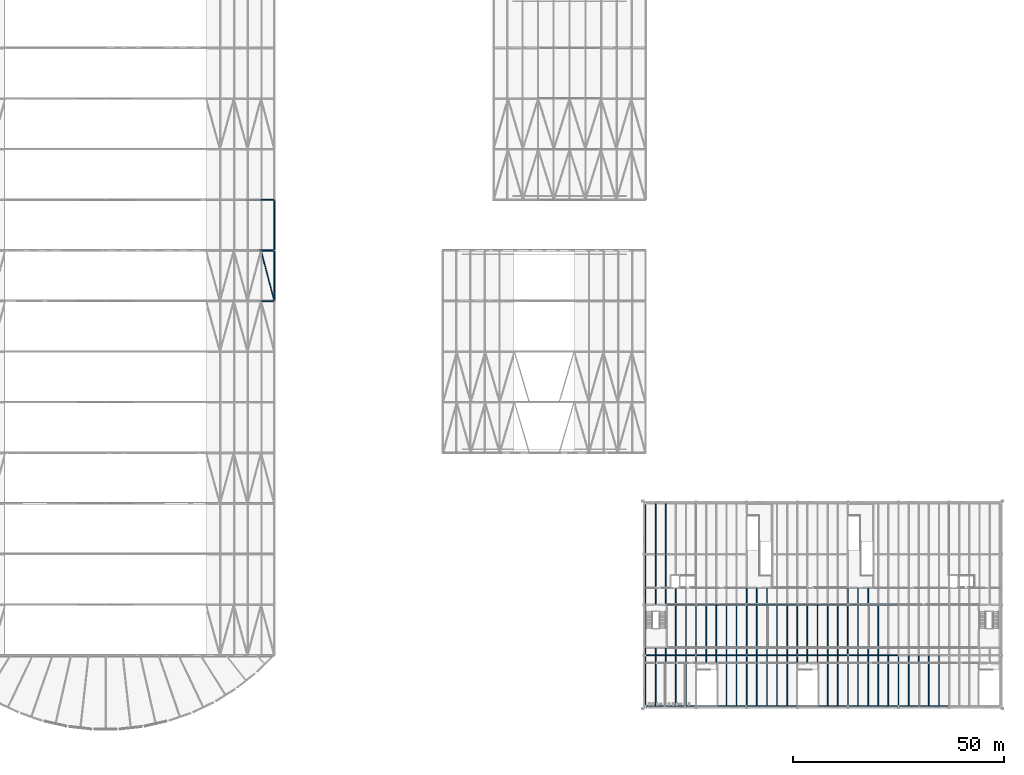
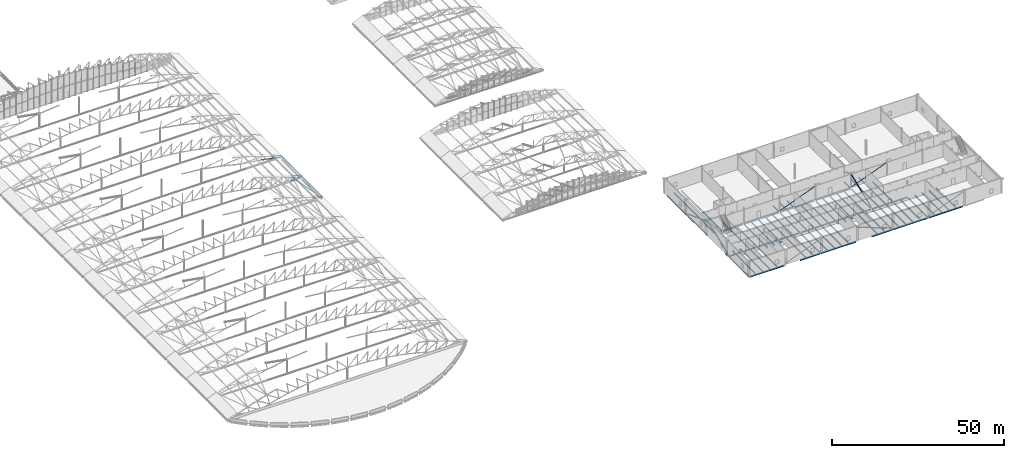
# One storey, part 112 of 321: 84 beams, 16 members.
"""IFC4 building model written with IfcOpenShell, lengths in metres."""

from ifc_helpers import new_model, si_unit, direction, frame, origin, origin_2d, place, context, subcontext, project, spatial, hollow_rectangle, hollow_circle, i_section, extrude, material, material_profile, profile_set, type_object, element, save


model = new_model("IFC4")

# Units and contexts
model_context = context("Model", 3, precision=1e-05, world=origin(), true_north=direction((0.0, 1.0)))
body_context = subcontext(model_context, "Body", "Model", "MODEL_VIEW")
ifc_project = project(units=[si_unit("LENGTHUNIT", "METRE"), si_unit("AREAUNIT", "SQUARE_METRE"), si_unit("VOLUMEUNIT", "CUBIC_METRE"), si_unit("PLANEANGLEUNIT", "RADIAN"), si_unit("MASSUNIT", "GRAM", prefix="KILO")], contexts=[model_context])

# Site, building, storey
site_placement = place(None, origin())
site = spatial("IfcSite", under=ifc_project, at=site_placement, CompositionType="ELEMENT")
building_placement = place(site_placement, origin())
building = spatial("IfcBuilding", under=site, at=building_placement, Name="Ravi Spectrum Wholesale Market", CompositionType="ELEMENT")
storey_placement = place(building_placement, frame((0.0, 0.0, 10.800048828125)))
storey = spatial("IfcBuildingStorey", under=building, at=storey_placement, Name="L02", CompositionType="ELEMENT", Elevation=10.800048828125)

# Members
ifc_material_1 = material(Name="Steel S355", Category="steel")
ifc_material_profile_1 = material_profile(ifc_material_1, hollow_circle(Radius=0.096923828125, WallThickness=0.00634765625, at=origin_2d()))
ifc_profile_set_1 = profile_set([ifc_material_profile_1], Name="Steel S355")
member_type_1 = type_object("IfcMemberType", Name="CHS 193.7x6.3 brace", PredefinedType="BRACE", material=ifc_profile_set_1)
member_1_placement = place(storey_placement, frame((106.836181640625, 126.0, 1.325439453125), z_axis=(0.254316239018, -0.961476177233, -0.104339883003), x_axis=(0.966753007225, 0.255711992329, 0.0)))
element("IfcMember", 1, at=member_1_placement, inside=storey, type_object=member_type_1, Name="H1-MB-L02-1679", PredefinedType="BRACE", context=body_context, shape_type="SweptSolid", body=[
    extrude(hollow_circle(Radius=0.096923828125, WallThickness=0.00634765625, at=origin_2d()), origin(), (0.0, 0.0, 1.0), 12.480712890625),
])
ifc_material_2 = material(Name="Steel S355", Category="steel")
ifc_material_profile_2 = material_profile(ifc_material_2, hollow_circle(Radius=0.136474609375, WallThickness=0.010009765625, at=origin_2d()))
ifc_profile_set_2 = profile_set([ifc_material_profile_2], Name="Steel S355")
member_type_2 = type_object("IfcMemberType", Name="CHS 273x10 chord", PredefinedType="CHORD", material=ifc_profile_set_2)
member_2_placement = place(storey_placement, frame((103.231201171875, 138.0, 1.435546875), z_axis=(0.978978953118, 0.0, -0.203961293758), x_axis=(0.0, 1.0, 0.0)))
element("IfcMember", 2, at=member_2_placement, inside=storey, type_object=member_type_2, Name="H1-MB-L02-783", PredefinedType="CHORD", context=body_context, shape_type="SweptSolid", body=[
    extrude(hollow_circle(Radius=0.136474609375, WallThickness=0.010009765625, at=origin_2d()), origin(), (0.0, 0.0, 1.0), 6.924560546875),
])
ifc_material_3 = material(Name="Steel S355", Category="steel")
ifc_material_profile_3 = material_profile(ifc_material_3, hollow_circle(Radius=0.177734375, WallThickness=0.012451171875, at=origin_2d()))
ifc_profile_set_3 = profile_set([ifc_material_profile_3], Name="Steel S355")
member_type_3 = type_object("IfcMemberType", Name="CHS 355.6x12.5 chord", PredefinedType="CHORD", material=ifc_profile_set_3)
member_3_placement = place(storey_placement, frame((106.845458984375, 114.0, 1.34912109375), z_axis=(0.922323660423, 0.0, -0.386418251929), x_axis=(0.0, 1.0, 0.0)))
element("IfcMember", 3, at=member_3_placement, inside=storey, type_object=member_type_3, Name="H1-MB-L02-609", PredefinedType="CHORD", context=body_context, shape_type="SweptSolid", body=[
    extrude(hollow_circle(Radius=0.177734375, WallThickness=0.012451171875, at=origin_2d()), origin(), (0.0, 0.0, 1.0), 3.431396484375),
])
member_4_placement = place(storey_placement, frame((106.3916015625, 126.0, 0.2109375), z_axis=(0.998295734367, 0.0, -0.058357747936), x_axis=(0.0, 1.0, 0.0)))
element("IfcMember", 4, at=member_4_placement, inside=storey, type_object=member_type_3, Name="H1-MB-L02-696", PredefinedType="CHORD", context=body_context, shape_type="SweptSolid", body=[
    extrude(hollow_circle(Radius=0.177734375, WallThickness=0.012451171875, at=origin_2d()), origin(), (0.0, 0.0, 1.0), 3.614501953125),
])
member_5_placement = place(storey_placement, frame((106.845458984375, 138.0, 1.34912109375), z_axis=(0.922323660423, 0.0, -0.386418251929), x_axis=(0.0, 1.0, 0.0)))
element("IfcMember", 5, at=member_5_placement, inside=storey, type_object=member_type_3, Name="H1-MB-L02-771", PredefinedType="CHORD", context=body_context, shape_type="SweptSolid", body=[
    extrude(hollow_circle(Radius=0.177734375, WallThickness=0.012451171875, at=origin_2d()), origin(), (0.0, 0.0, 1.0), 3.431396484375),
])
ifc_material_4 = material(Name="Steel S355", Category="steel")
ifc_material_profile_4 = material_profile(ifc_material_4, hollow_circle(Radius=0.203125, WallThickness=0.01611328125, at=origin_2d()))
ifc_profile_set_4 = profile_set([ifc_material_profile_4], Name="Steel S355")
member_type_4 = type_object("IfcMemberType", Name="CHS 406.4x16 chord", PredefinedType="CHORD", material=ifc_profile_set_4)
member_6_placement = place(storey_placement, frame((106.836181640625, 126.0, 1.325439453125), z_axis=(0.922331882778, 0.0, -0.386398625789), x_axis=(0.0, 1.0, 0.0)))
element("IfcMember", 6, at=member_6_placement, inside=storey, type_object=member_type_4, Name="H1-MB-L02-672", PredefinedType="CHORD", context=body_context, shape_type="SweptSolid", body=[
    extrude(hollow_circle(Radius=0.203125, WallThickness=0.01611328125, at=origin_2d()), origin(), (0.0, 0.0, 1.0), 3.43017578125),
])
ifc_material_5 = material(Name="Steel S355", Category="steel")
ifc_material_profile_5 = material_profile(ifc_material_5, i_section(OverallWidth=0.135009765625, OverallDepth=0.27001953125, WebThickness=0.006591796875, FlangeThickness=0.01025390625, at=origin_2d()))
ifc_profile_set_5 = profile_set([ifc_material_profile_5], Name="Steel S355")
member_type_5 = type_object("IfcMemberType", Name="IPE 270 purlin", PredefinedType="PURLIN", material=ifc_profile_set_5)
for number, where, z_axis, x_axis, name in (
    (7, (110.135986328125, 114.0, 0.3095703125), (0.0, 1.0, 0.0), (-0.915525334521, 0.0, 0.402260316027), "H1-MB-L02-1433"),
    (8, (110.135986328125, 126.0, 0.3095703125), (0.0, 1.0, 0.0), (-0.915525334521, 0.0, 0.402260316027), "H1-MB-L02-1458"),
):
    element("IfcMember", number, at=place(storey_placement, frame(where, z_axis=z_axis, x_axis=x_axis)), inside=storey, type_object=member_type_5, Name=name, PredefinedType="PURLIN", context=body_context, shape_type="SweptSolid", body=[
        extrude(i_section(OverallWidth=0.135009765625, OverallDepth=0.27001953125, WebThickness=0.006591796875, FlangeThickness=0.01025390625, at=origin_2d()), origin(), (0.0, 0.0, 1.0), 12.0),
    ])

# Beams
ifc_material_6 = material(Name="Steel S355", Category="steel")
ifc_material_profile_6 = material_profile(ifc_material_6, i_section(OverallWidth=0.18994140625, OverallDepth=0.449951171875, WebThickness=0.009521484375, FlangeThickness=0.0146484375, at=origin_2d()))
ifc_profile_set_6 = profile_set([ifc_material_profile_6], Name="Steel S355")
beam_type_1 = type_object("IfcBeamType", Name="IPE 450 girder", PredefinedType="BEAM", material=ifc_profile_set_6)
beam_1_placement = place(storey_placement, frame((198.0, 18.169921875, -0.47509765625), z_axis=(0.0, 1.0, 0.0), x_axis=(-1.0, 0.0, 0.0)))
element("IfcBeam", 9, at=beam_1_placement, inside=storey, type_object=beam_type_1, Name="CS-BM-L02-036", PredefinedType="BEAM", context=body_context, shape_type="SweptSolid", body=[
    extrude(i_section(OverallWidth=0.18994140625, OverallDepth=0.449951171875, WebThickness=0.009521484375, FlangeThickness=0.0146484375, at=origin_2d()), origin(), (0.0, 0.0, 1.0), 11.66015625),
])
beam_2_placement = place(storey_placement, frame((198.0, 30.169921875, -0.47509765625), z_axis=(0.0, 1.0, 0.0), x_axis=(-1.0, 0.0, 0.0)))
element("IfcBeam", 10, at=beam_2_placement, inside=storey, type_object=beam_type_1, Name="CS-BM-L02-037", PredefinedType="BEAM", context=body_context, shape_type="SweptSolid", body=[
    extrude(i_section(OverallWidth=0.18994140625, OverallDepth=0.449951171875, WebThickness=0.009521484375, FlangeThickness=0.0146484375, at=origin_2d()), origin(), (0.0, 0.0, 1.0), 1.505126953125),
])
for number, where, z_axis, x_axis, name in (
    (11, (198.0, 42.169921875, -0.47509765625), (0.0, 1.0, 0.0), (-1.0, 0.0, 0.0), "CS-BM-L02-038"),
    (12, (198.0, 54.169921875, -0.47509765625), (0.0, 1.0, 0.0), (-1.0, 0.0, 0.0), "CS-BM-L02-039"),
):
    element("IfcBeam", number, at=place(storey_placement, frame(where, z_axis=z_axis, x_axis=x_axis)), inside=storey, type_object=beam_type_1, Name=name, PredefinedType="BEAM", context=body_context, shape_type="SweptSolid", body=[
        extrude(i_section(OverallWidth=0.18994140625, OverallDepth=0.449951171875, WebThickness=0.009521484375, FlangeThickness=0.0146484375, at=origin_2d()), origin(), (0.0, 0.0, 1.0), 11.66015625),
    ])
beam_3_placement = place(storey_placement, frame((210.0, 28.324951171875, -0.47509765625), z_axis=(0.0, 1.0, 0.0), x_axis=(-1.0, 0.0, 0.0)))
element("IfcBeam", 13, at=beam_3_placement, inside=storey, type_object=beam_type_1, Name="CS-BM-L02-040", PredefinedType="BEAM", context=body_context, shape_type="SweptSolid", body=[
    extrude(i_section(OverallWidth=0.18994140625, OverallDepth=0.449951171875, WebThickness=0.009521484375, FlangeThickness=0.0146484375, at=origin_2d()), origin(), (0.0, 0.0, 1.0), 1.47509765625),
])
beam_4_placement = place(storey_placement, frame((210.0, 30.199951171875, -0.47509765625), z_axis=(0.0, 1.0, 0.0), x_axis=(-1.0, 0.0, 0.0)))
element("IfcBeam", 14, at=beam_4_placement, inside=storey, type_object=beam_type_1, Name="CS-BM-L02-041", PredefinedType="BEAM", context=body_context, shape_type="SweptSolid", body=[
    extrude(i_section(OverallWidth=0.18994140625, OverallDepth=0.449951171875, WebThickness=0.009521484375, FlangeThickness=0.0146484375, at=origin_2d()), origin(), (0.0, 0.0, 1.0), 11.60009765625),
])
beam_5_placement = place(storey_placement, frame((222.0, 18.169921875, -0.47509765625), z_axis=(0.0, 1.0, 0.0), x_axis=(-1.0, 0.0, 0.0)))
element("IfcBeam", 15, at=beam_5_placement, inside=storey, type_object=beam_type_1, Name="CS-BM-L02-045", PredefinedType="BEAM", context=body_context, shape_type="SweptSolid", body=[
    extrude(i_section(OverallWidth=0.18994140625, OverallDepth=0.449951171875, WebThickness=0.009521484375, FlangeThickness=0.0146484375, at=origin_2d()), origin(), (0.0, 0.0, 1.0), 11.630126953125),
])
beam_6_placement = place(storey_placement, frame((222.0, 30.199951171875, -0.47509765625), z_axis=(0.0, 1.0, 0.0), x_axis=(-1.0, 0.0, 0.0)))
element("IfcBeam", 16, at=beam_6_placement, inside=storey, type_object=beam_type_1, Name="CS-BM-L02-046", PredefinedType="BEAM", context=body_context, shape_type="SweptSolid", body=[
    extrude(i_section(OverallWidth=0.18994140625, OverallDepth=0.449951171875, WebThickness=0.009521484375, FlangeThickness=0.0146484375, at=origin_2d()), origin(), (0.0, 0.0, 1.0), 11.60009765625),
])
beam_7_placement = place(storey_placement, frame((222.0, 42.199951171875, -0.47509765625), z_axis=(0.0, 1.0, 0.0), x_axis=(-1.0, 0.0, 0.0)))
element("IfcBeam", 17, at=beam_7_placement, inside=storey, type_object=beam_type_1, Name="CS-BM-L02-047", PredefinedType="BEAM", context=body_context, shape_type="SweptSolid", body=[
    extrude(i_section(OverallWidth=0.18994140625, OverallDepth=0.449951171875, WebThickness=0.009521484375, FlangeThickness=0.0146484375, at=origin_2d()), origin(), (0.0, 0.0, 1.0), 3.675048828125),
])
beam_8_placement = place(storey_placement, frame((234.0, 28.324951171875, -0.47509765625), z_axis=(0.0, 1.0, 0.0), x_axis=(-1.0, 0.0, 0.0)))
element("IfcBeam", 18, at=beam_8_placement, inside=storey, type_object=beam_type_1, Name="CS-BM-L02-048", PredefinedType="BEAM", context=body_context, shape_type="SweptSolid", body=[
    extrude(i_section(OverallWidth=0.18994140625, OverallDepth=0.449951171875, WebThickness=0.009521484375, FlangeThickness=0.0146484375, at=origin_2d()), origin(), (0.0, 0.0, 1.0), 1.47509765625),
])
beam_9_placement = place(storey_placement, frame((234.0, 30.199951171875, -0.47509765625), z_axis=(0.0, 1.0, 0.0), x_axis=(-1.0, 0.0, 0.0)))
element("IfcBeam", 19, at=beam_9_placement, inside=storey, type_object=beam_type_1, Name="CS-BM-L02-049", PredefinedType="BEAM", context=body_context, shape_type="SweptSolid", body=[
    extrude(i_section(OverallWidth=0.18994140625, OverallDepth=0.449951171875, WebThickness=0.009521484375, FlangeThickness=0.0146484375, at=origin_2d()), origin(), (0.0, 0.0, 1.0), 11.60009765625),
])
beam_10_placement = place(storey_placement, frame((246.0, 18.169921875, -0.47509765625), z_axis=(0.0, 1.0, 0.0), x_axis=(-1.0, 0.0, 0.0)))
element("IfcBeam", 20, at=beam_10_placement, inside=storey, type_object=beam_type_1, Name="CS-BM-L02-052", PredefinedType="BEAM", context=body_context, shape_type="SweptSolid", body=[
    extrude(i_section(OverallWidth=0.18994140625, OverallDepth=0.449951171875, WebThickness=0.009521484375, FlangeThickness=0.0146484375, at=origin_2d()), origin(), (0.0, 0.0, 1.0), 11.630126953125),
])
beam_11_placement = place(storey_placement, frame((246.0, 30.199951171875, -0.47509765625), z_axis=(0.0, 1.0, 0.0), x_axis=(-1.0, 0.0, 0.0)))
element("IfcBeam", 21, at=beam_11_placement, inside=storey, type_object=beam_type_1, Name="CS-BM-L02-053", PredefinedType="BEAM", context=body_context, shape_type="SweptSolid", body=[
    extrude(i_section(OverallWidth=0.18994140625, OverallDepth=0.449951171875, WebThickness=0.009521484375, FlangeThickness=0.0146484375, at=origin_2d()), origin(), (0.0, 0.0, 1.0), 11.60009765625),
])
beam_12_placement = place(storey_placement, frame((246.0, 42.199951171875, -0.47509765625), z_axis=(0.0, 1.0, 0.0), x_axis=(-1.0, 0.0, 0.0)))
element("IfcBeam", 22, at=beam_12_placement, inside=storey, type_object=beam_type_1, Name="CS-BM-L02-054", PredefinedType="BEAM", context=body_context, shape_type="SweptSolid", body=[
    extrude(i_section(OverallWidth=0.18994140625, OverallDepth=0.449951171875, WebThickness=0.009521484375, FlangeThickness=0.0146484375, at=origin_2d()), origin(), (0.0, 0.0, 1.0), 3.675048828125),
])
beam_13_placement = place(storey_placement, frame((258.0, 18.169921875, -0.47509765625), z_axis=(0.0, 1.0, 0.0), x_axis=(-1.0, 0.0, 0.0)))
element("IfcBeam", 23, at=beam_13_placement, inside=storey, type_object=beam_type_1, Name="CS-BM-L02-055", PredefinedType="BEAM", context=body_context, shape_type="SweptSolid", body=[
    extrude(i_section(OverallWidth=0.18994140625, OverallDepth=0.449951171875, WebThickness=0.009521484375, FlangeThickness=0.0146484375, at=origin_2d()), origin(), (0.0, 0.0, 1.0), 11.630126953125),
])
ifc_material_7 = material(Name="Steel S355", Category="steel")
ifc_material_profile_7 = material_profile(ifc_material_7, i_section(OverallWidth=0.199951171875, OverallDepth=0.5, WebThickness=0.01025390625, FlangeThickness=0.01611328125, at=origin_2d()))
ifc_profile_set_7 = profile_set([ifc_material_profile_7], Name="Steel S355")
beam_type_2 = type_object("IfcBeamType", Name="IPE 500 beam", PredefinedType="BEAM", material=ifc_profile_set_7)
beam_14_placement = place(storey_placement, frame((198.14990234375, 18.0, -0.5), z_axis=(1.0, 0.0, 0.0), x_axis=(0.0, 1.0, 0.0)))
element("IfcBeam", 24, at=beam_14_placement, inside=storey, type_object=beam_type_2, Name="CS-BM-L02-001", PredefinedType="BEAM", context=body_context, shape_type="SweptSolid", body=[
    extrude(i_section(OverallWidth=0.199951171875, OverallDepth=0.5, WebThickness=0.01025390625, FlangeThickness=0.01611328125, at=origin_2d()), origin(), (0.0, 0.0, 1.0), 11.7001953125),
])
beam_15_placement = place(storey_placement, frame((215.125, 18.0, -0.5), z_axis=(1.0, 0.0, 0.0), x_axis=(0.0, 1.0, 0.0)))
element("IfcBeam", 25, at=beam_15_placement, inside=storey, type_object=beam_type_2, Name="CS-BM-L02-002", PredefinedType="BEAM", context=body_context, shape_type="SweptSolid", body=[
    extrude(i_section(OverallWidth=0.199951171875, OverallDepth=0.5, WebThickness=0.01025390625, FlangeThickness=0.01611328125, at=origin_2d()), origin(), (0.0, 0.0, 1.0), 6.72509765625),
])
beam_16_placement = place(storey_placement, frame((222.14990234375, 18.0, -0.5), z_axis=(1.0, 0.0, 0.0), x_axis=(0.0, 1.0, 0.0)))
element("IfcBeam", 26, at=beam_16_placement, inside=storey, type_object=beam_type_2, Name="CS-BM-L02-003", PredefinedType="BEAM", context=body_context, shape_type="SweptSolid", body=[
    extrude(i_section(OverallWidth=0.199951171875, OverallDepth=0.5, WebThickness=0.01025390625, FlangeThickness=0.01611328125, at=origin_2d()), origin(), (0.0, 0.0, 1.0), 11.7001953125),
])
beam_17_placement = place(storey_placement, frame((239.125, 18.0, -0.5), z_axis=(1.0, 0.0, 0.0), x_axis=(0.0, 1.0, 0.0)))
element("IfcBeam", 27, at=beam_17_placement, inside=storey, type_object=beam_type_2, Name="CS-BM-L02-004", PredefinedType="BEAM", context=body_context, shape_type="SweptSolid", body=[
    extrude(i_section(OverallWidth=0.199951171875, OverallDepth=0.5, WebThickness=0.01025390625, FlangeThickness=0.01611328125, at=origin_2d()), origin(), (0.0, 0.0, 1.0), 6.72509765625),
])
for number, where, z_axis, x_axis, name in (
    (28, (246.14990234375, 18.0, -0.5), (1.0, 0.0, 0.0), (0.0, 1.0, 0.0), "CS-BM-L02-005"),
    (29, (258.14990234375, 18.0, -0.5), (1.0, 0.0, 0.0), (0.0, 1.0, 0.0), "CS-BM-L02-006"),
    (30, (198.14990234375, 30.0, -0.5), (1.0, 0.0, 0.0), (0.0, 1.0, 0.0), "CS-BM-L02-008"),
    (31, (210.14990234375, 30.0, -0.5), (1.0, 0.0, 0.0), (0.0, 1.0, 0.0), "CS-BM-L02-009"),
    (32, (222.14990234375, 30.0, -0.5), (1.0, 0.0, 0.0), (0.0, 1.0, 0.0), "CS-BM-L02-010"),
    (33, (234.14990234375, 30.0, -0.5), (1.0, 0.0, 0.0), (0.0, 1.0, 0.0), "CS-BM-L02-011"),
    (34, (246.14990234375, 30.0, -0.5), (1.0, 0.0, 0.0), (0.0, 1.0, 0.0), "CS-BM-L02-012"),
):
    element("IfcBeam", number, at=place(storey_placement, frame(where, z_axis=z_axis, x_axis=x_axis)), inside=storey, type_object=beam_type_2, Name=name, PredefinedType="BEAM", context=body_context, shape_type="SweptSolid", body=[
        extrude(i_section(OverallWidth=0.199951171875, OverallDepth=0.5, WebThickness=0.01025390625, FlangeThickness=0.01611328125, at=origin_2d()), origin(), (0.0, 0.0, 1.0), 11.7001953125),
    ])
beam_18_placement = place(storey_placement, frame((203.125, 42.0, -0.5), z_axis=(1.0, 0.0, 0.0), x_axis=(0.0, 1.0, 0.0)))
element("IfcBeam", 35, at=beam_18_placement, inside=storey, type_object=beam_type_2, Name="CS-BM-L02-015", PredefinedType="BEAM", context=body_context, shape_type="SweptSolid", body=[
    extrude(i_section(OverallWidth=0.199951171875, OverallDepth=0.5, WebThickness=0.01025390625, FlangeThickness=0.01611328125, at=origin_2d()), origin(), (0.0, 0.0, 1.0), 6.72509765625),
])
for number, where, z_axis, x_axis, name in (
    (36, (210.14990234375, 42.0, -0.5), (1.0, 0.0, 0.0), (0.0, 1.0, 0.0), "CS-BM-L02-016"),
    (37, (222.14990234375, 42.0, -0.5), (1.0, 0.0, 0.0), (0.0, 1.0, 0.0), "CS-BM-L02-017"),
    (38, (234.14990234375, 42.0, -0.5), (1.0, 0.0, 0.0), (0.0, 1.0, 0.0), "CS-BM-L02-018"),
):
    element("IfcBeam", number, at=place(storey_placement, frame(where, z_axis=z_axis, x_axis=x_axis)), inside=storey, type_object=beam_type_2, Name=name, PredefinedType="BEAM", context=body_context, shape_type="SweptSolid", body=[
        extrude(i_section(OverallWidth=0.199951171875, OverallDepth=0.5, WebThickness=0.01025390625, FlangeThickness=0.01611328125, at=origin_2d()), origin(), (0.0, 0.0, 1.0), 11.7001953125),
    ])
for number, where, z_axis, x_axis, name in (
    (39, (200.39990234375, 18.10009765625, -0.5), (0.0, 1.0, 0.0), (-1.0, 0.0, 0.0), "CS-BM-L02-068"),
    (40, (202.800048828125, 18.10009765625, -0.5), (0.0, 1.0, 0.0), (-1.0, 0.0, 0.0), "CS-BM-L02-069"),
    (41, (205.199951171875, 18.10009765625, -0.5), (0.0, 1.0, 0.0), (-1.0, 0.0, 0.0), "CS-BM-L02-070"),
    (42, (207.60009765625, 18.10009765625, -0.5), (0.0, 1.0, 0.0), (-1.0, 0.0, 0.0), "CS-BM-L02-071"),
):
    element("IfcBeam", number, at=place(storey_placement, frame(where, z_axis=z_axis, x_axis=x_axis)), inside=storey, type_object=beam_type_2, Name=name, PredefinedType="BEAM", context=body_context, shape_type="SweptSolid", body=[
        extrude(i_section(OverallWidth=0.199951171875, OverallDepth=0.5, WebThickness=0.01025390625, FlangeThickness=0.01611328125, at=origin_2d()), origin(), (0.0, 0.0, 1.0), 11.7998046875),
    ])
for number, where, z_axis, x_axis, name in (
    (43, (200.39990234375, 30.10009765625, -0.5), (0.0, 1.0, 0.0), (-1.0, 0.0, 0.0), "CS-BM-L02-072"),
    (44, (202.800048828125, 30.10009765625, -0.5), (0.0, 1.0, 0.0), (-1.0, 0.0, 0.0), "CS-BM-L02-073"),
):
    element("IfcBeam", number, at=place(storey_placement, frame(where, z_axis=z_axis, x_axis=x_axis)), inside=storey, type_object=beam_type_2, Name=name, PredefinedType="BEAM", context=body_context, shape_type="SweptSolid", body=[
        extrude(i_section(OverallWidth=0.199951171875, OverallDepth=0.5, WebThickness=0.01025390625, FlangeThickness=0.01611328125, at=origin_2d()), origin(), (0.0, 0.0, 1.0), 1.574951171875),
    ])
for number, where, z_axis, x_axis, name in (
    (45, (205.199951171875, 30.10009765625, -0.5), (0.0, 1.0, 0.0), (-1.0, 0.0, 0.0), "CS-BM-L02-074"),
    (46, (207.60009765625, 30.10009765625, -0.5), (0.0, 1.0, 0.0), (-1.0, 0.0, 0.0), "CS-BM-L02-075"),
):
    element("IfcBeam", number, at=place(storey_placement, frame(where, z_axis=z_axis, x_axis=x_axis)), inside=storey, type_object=beam_type_2, Name=name, PredefinedType="BEAM", context=body_context, shape_type="SweptSolid", body=[
        extrude(i_section(OverallWidth=0.199951171875, OverallDepth=0.5, WebThickness=0.01025390625, FlangeThickness=0.01611328125, at=origin_2d()), origin(), (0.0, 0.0, 1.0), 11.7998046875),
    ])
for number, where, z_axis, x_axis, name in (
    (47, (200.39990234375, 42.125, -0.5), (0.0, 1.0, 0.0), (-1.0, 0.0, 0.0), "CS-BM-L02-076"),
    (48, (202.800048828125, 42.125, -0.5), (0.0, 1.0, 0.0), (-1.0, 0.0, 0.0), "CS-BM-L02-077"),
):
    element("IfcBeam", number, at=place(storey_placement, frame(where, z_axis=z_axis, x_axis=x_axis)), inside=storey, type_object=beam_type_2, Name=name, PredefinedType="BEAM", context=body_context, shape_type="SweptSolid", body=[
        extrude(i_section(OverallWidth=0.199951171875, OverallDepth=0.5, WebThickness=0.01025390625, FlangeThickness=0.01611328125, at=origin_2d()), origin(), (0.0, 0.0, 1.0), 11.77490234375),
    ])
beam_19_placement = place(storey_placement, frame((205.199951171875, 42.10009765625, -0.5), z_axis=(0.0, 1.0, 0.0), x_axis=(-1.0, 0.0, 0.0)))
element("IfcBeam", 49, at=beam_19_placement, inside=storey, type_object=beam_type_2, Name="CS-BM-L02-078", PredefinedType="BEAM", context=body_context, shape_type="SweptSolid", body=[
    extrude(i_section(OverallWidth=0.199951171875, OverallDepth=0.5, WebThickness=0.01025390625, FlangeThickness=0.01611328125, at=origin_2d()), origin(), (0.0, 0.0, 1.0), 3.77490234375),
])
for number, where, z_axis, x_axis, name in (
    (50, (200.39990234375, 54.10009765625, -0.5), (0.0, 1.0, 0.0), (-1.0, 0.0, 0.0), "CS-BM-L02-082"),
    (51, (202.800048828125, 54.10009765625, -0.5), (0.0, 1.0, 0.0), (-1.0, 0.0, 0.0), "CS-BM-L02-083"),
):
    element("IfcBeam", number, at=place(storey_placement, frame(where, z_axis=z_axis, x_axis=x_axis)), inside=storey, type_object=beam_type_2, Name=name, PredefinedType="BEAM", context=body_context, shape_type="SweptSolid", body=[
        extrude(i_section(OverallWidth=0.199951171875, OverallDepth=0.5, WebThickness=0.01025390625, FlangeThickness=0.01611328125, at=origin_2d()), origin(), (0.0, 0.0, 1.0), 11.7998046875),
    ])
for number, where, z_axis, x_axis, name in (
    (52, (212.39990234375, 28.324951171875, -0.5), (0.0, 1.0, 0.0), (-1.0, 0.0, 0.0), "CS-BM-L02-086"),
    (53, (214.800048828125, 28.324951171875, -0.5), (0.0, 1.0, 0.0), (-1.0, 0.0, 0.0), "CS-BM-L02-087"),
):
    element("IfcBeam", number, at=place(storey_placement, frame(where, z_axis=z_axis, x_axis=x_axis)), inside=storey, type_object=beam_type_2, Name=name, PredefinedType="BEAM", context=body_context, shape_type="SweptSolid", body=[
        extrude(i_section(OverallWidth=0.199951171875, OverallDepth=0.5, WebThickness=0.01025390625, FlangeThickness=0.01611328125, at=origin_2d()), origin(), (0.0, 0.0, 1.0), 1.574951171875),
    ])
for number, where, z_axis, x_axis, name in (
    (54, (217.199951171875, 18.10009765625, -0.5), (0.0, 1.0, 0.0), (-1.0, 0.0, 0.0), "CS-BM-L02-088"),
    (55, (219.60009765625, 18.10009765625, -0.5), (0.0, 1.0, 0.0), (-1.0, 0.0, 0.0), "CS-BM-L02-089"),
    (56, (212.39990234375, 30.10009765625, -0.5), (0.0, 1.0, 0.0), (-1.0, 0.0, 0.0), "CS-BM-L02-090"),
    (57, (214.800048828125, 30.10009765625, -0.5), (0.0, 1.0, 0.0), (-1.0, 0.0, 0.0), "CS-BM-L02-091"),
    (58, (217.199951171875, 30.10009765625, -0.5), (0.0, 1.0, 0.0), (-1.0, 0.0, 0.0), "CS-BM-L02-092"),
    (59, (219.60009765625, 30.10009765625, -0.5), (0.0, 1.0, 0.0), (-1.0, 0.0, 0.0), "CS-BM-L02-093"),
    (60, (224.39990234375, 18.10009765625, -0.5), (0.0, 1.0, 0.0), (-1.0, 0.0, 0.0), "CS-BM-L02-102"),
    (61, (226.800048828125, 18.10009765625, -0.5), (0.0, 1.0, 0.0), (-1.0, 0.0, 0.0), "CS-BM-L02-103"),
    (62, (229.199951171875, 18.10009765625, -0.5), (0.0, 1.0, 0.0), (-1.0, 0.0, 0.0), "CS-BM-L02-104"),
    (63, (231.60009765625, 18.10009765625, -0.5), (0.0, 1.0, 0.0), (-1.0, 0.0, 0.0), "CS-BM-L02-105"),
    (64, (224.39990234375, 30.10009765625, -0.5), (0.0, 1.0, 0.0), (-1.0, 0.0, 0.0), "CS-BM-L02-106"),
    (65, (226.800048828125, 30.10009765625, -0.5), (0.0, 1.0, 0.0), (-1.0, 0.0, 0.0), "CS-BM-L02-107"),
    (66, (229.199951171875, 30.10009765625, -0.5), (0.0, 1.0, 0.0), (-1.0, 0.0, 0.0), "CS-BM-L02-108"),
    (67, (231.60009765625, 30.10009765625, -0.5), (0.0, 1.0, 0.0), (-1.0, 0.0, 0.0), "CS-BM-L02-109"),
):
    element("IfcBeam", number, at=place(storey_placement, frame(where, z_axis=z_axis, x_axis=x_axis)), inside=storey, type_object=beam_type_2, Name=name, PredefinedType="BEAM", context=body_context, shape_type="SweptSolid", body=[
        extrude(i_section(OverallWidth=0.199951171875, OverallDepth=0.5, WebThickness=0.01025390625, FlangeThickness=0.01611328125, at=origin_2d()), origin(), (0.0, 0.0, 1.0), 11.7998046875),
    ])
for number, where, z_axis, x_axis, name in (
    (68, (224.39990234375, 42.10009765625, -0.5), (0.0, 1.0, 0.0), (-1.0, 0.0, 0.0), "CS-BM-L02-110"),
    (69, (226.800048828125, 42.10009765625, -0.5), (0.0, 1.0, 0.0), (-1.0, 0.0, 0.0), "CS-BM-L02-111"),
):
    element("IfcBeam", number, at=place(storey_placement, frame(where, z_axis=z_axis, x_axis=x_axis)), inside=storey, type_object=beam_type_2, Name=name, PredefinedType="BEAM", context=body_context, shape_type="SweptSolid", body=[
        extrude(i_section(OverallWidth=0.199951171875, OverallDepth=0.5, WebThickness=0.01025390625, FlangeThickness=0.01611328125, at=origin_2d()), origin(), (0.0, 0.0, 1.0), 3.77490234375),
    ])
for number, where, z_axis, x_axis, name in (
    (70, (236.39990234375, 28.324951171875, -0.5), (0.0, 1.0, 0.0), (-1.0, 0.0, 0.0), "CS-BM-L02-116"),
    (71, (238.800048828125, 28.324951171875, -0.5), (0.0, 1.0, 0.0), (-1.0, 0.0, 0.0), "CS-BM-L02-117"),
):
    element("IfcBeam", number, at=place(storey_placement, frame(where, z_axis=z_axis, x_axis=x_axis)), inside=storey, type_object=beam_type_2, Name=name, PredefinedType="BEAM", context=body_context, shape_type="SweptSolid", body=[
        extrude(i_section(OverallWidth=0.199951171875, OverallDepth=0.5, WebThickness=0.01025390625, FlangeThickness=0.01611328125, at=origin_2d()), origin(), (0.0, 0.0, 1.0), 1.574951171875),
    ])
for number, where, z_axis, x_axis, name in (
    (72, (241.199951171875, 18.10009765625, -0.5), (0.0, 1.0, 0.0), (-1.0, 0.0, 0.0), "CS-BM-L02-118"),
    (73, (243.60009765625, 18.10009765625, -0.5), (0.0, 1.0, 0.0), (-1.0, 0.0, 0.0), "CS-BM-L02-119"),
    (74, (236.39990234375, 30.10009765625, -0.5), (0.0, 1.0, 0.0), (-1.0, 0.0, 0.0), "CS-BM-L02-120"),
    (75, (238.800048828125, 30.10009765625, -0.5), (0.0, 1.0, 0.0), (-1.0, 0.0, 0.0), "CS-BM-L02-121"),
    (76, (241.199951171875, 30.10009765625, -0.5), (0.0, 1.0, 0.0), (-1.0, 0.0, 0.0), "CS-BM-L02-122"),
    (77, (243.60009765625, 30.10009765625, -0.5), (0.0, 1.0, 0.0), (-1.0, 0.0, 0.0), "CS-BM-L02-123"),
    (78, (248.39990234375, 18.10009765625, -0.5), (0.0, 1.0, 0.0), (-1.0, 0.0, 0.0), "CS-BM-L02-132"),
    (79, (250.800048828125, 18.10009765625, -0.5), (0.0, 1.0, 0.0), (-1.0, 0.0, 0.0), "CS-BM-L02-133"),
    (80, (253.199951171875, 18.10009765625, -0.5), (0.0, 1.0, 0.0), (-1.0, 0.0, 0.0), "CS-BM-L02-134"),
    (81, (255.60009765625, 18.10009765625, -0.5), (0.0, 1.0, 0.0), (-1.0, 0.0, 0.0), "CS-BM-L02-135"),
    (82, (248.39990234375, 30.10009765625, -0.5), (0.0, 1.0, 0.0), (-1.0, 0.0, 0.0), "CS-BM-L02-136"),
    (83, (250.800048828125, 30.10009765625, -0.5), (0.0, 1.0, 0.0), (-1.0, 0.0, 0.0), "CS-BM-L02-137"),
    (84, (253.199951171875, 30.10009765625, -0.5), (0.0, 1.0, 0.0), (-1.0, 0.0, 0.0), "CS-BM-L02-138"),
):
    element("IfcBeam", number, at=place(storey_placement, frame(where, z_axis=z_axis, x_axis=x_axis)), inside=storey, type_object=beam_type_2, Name=name, PredefinedType="BEAM", context=body_context, shape_type="SweptSolid", body=[
        extrude(i_section(OverallWidth=0.199951171875, OverallDepth=0.5, WebThickness=0.01025390625, FlangeThickness=0.01611328125, at=origin_2d()), origin(), (0.0, 0.0, 1.0), 11.7998046875),
    ])
for number, where, z_axis, x_axis, name in (
    (85, (248.39990234375, 42.10009765625, -0.5), (0.0, 1.0, 0.0), (-1.0, 0.0, 0.0), "CS-BM-L02-140"),
    (86, (250.800048828125, 42.10009765625, -0.5), (0.0, 1.0, 0.0), (-1.0, 0.0, 0.0), "CS-BM-L02-141"),
):
    element("IfcBeam", number, at=place(storey_placement, frame(where, z_axis=z_axis, x_axis=x_axis)), inside=storey, type_object=beam_type_2, Name=name, PredefinedType="BEAM", context=body_context, shape_type="SweptSolid", body=[
        extrude(i_section(OverallWidth=0.199951171875, OverallDepth=0.5, WebThickness=0.01025390625, FlangeThickness=0.01611328125, at=origin_2d()), origin(), (0.0, 0.0, 1.0), 3.77490234375),
    ])
for number, where, z_axis, x_axis, name in (
    (87, (260.39990234375, 18.10009765625, -0.5), (0.0, 1.0, 0.0), (-1.0, 0.0, 0.0), "CS-BM-L02-146"),
    (88, (262.800048828125, 18.10009765625, -0.5), (0.0, 1.0, 0.0), (-1.0, 0.0, 0.0), "CS-BM-L02-147"),
    (89, (265.199951171875, 18.10009765625, -0.5), (0.0, 1.0, 0.0), (-1.0, 0.0, 0.0), "CS-BM-L02-148"),
    (90, (267.60009765625, 18.10009765625, -0.5), (0.0, 1.0, 0.0), (-1.0, 0.0, 0.0), "CS-BM-L02-149"),
):
    element("IfcBeam", number, at=place(storey_placement, frame(where, z_axis=z_axis, x_axis=x_axis)), inside=storey, type_object=beam_type_2, Name=name, PredefinedType="BEAM", context=body_context, shape_type="SweptSolid", body=[
        extrude(i_section(OverallWidth=0.199951171875, OverallDepth=0.5, WebThickness=0.01025390625, FlangeThickness=0.01611328125, at=origin_2d()), origin(), (0.0, 0.0, 1.0), 11.7998046875),
    ])
ifc_material_8 = material(Name="Steel S355", Category="steel")
ifc_material_profile_8 = material_profile(ifc_material_8, i_section(OverallWidth=0.199951171875, OverallDepth=0.5, WebThickness=0.01025390625, FlangeThickness=0.01611328125, at=origin_2d()))
ifc_profile_set_8 = profile_set([ifc_material_profile_8], Name="Steel S355")
beam_type_3 = type_object("IfcBeamType", Name="IPE 500 girder", PredefinedType="BEAM", material=ifc_profile_set_8)
for number, where, z_axis, x_axis, name in (
    (91, (110.0, 114.25390625, -0.449951171875), (0.0, 1.0, 0.0), (-1.0, 0.0, 0.0), "H1-BM-L02-022"),
    (92, (110.0, 126.25390625, -0.449951171875), (0.0, 1.0, 0.0), (-1.0, 0.0, 0.0), "H1-BM-L02-023"),
):
    element("IfcBeam", number, at=place(storey_placement, frame(where, z_axis=z_axis, x_axis=x_axis)), inside=storey, type_object=beam_type_3, Name=name, PredefinedType="BEAM", context=body_context, shape_type="SweptSolid", body=[
        extrude(i_section(OverallWidth=0.199951171875, OverallDepth=0.5, WebThickness=0.01025390625, FlangeThickness=0.01611328125, at=origin_2d()), origin(), (0.0, 0.0, 1.0), 11.4921875),
    ])

# Members
ifc_material_9 = material(Name="Steel S355", Category="steel")
ifc_material_profile_9 = material_profile(ifc_material_9, hollow_rectangle(XDim=0.199951171875, YDim=0.199951171875, WallThickness=0.008056640625, InnerFilletRadius=0.008056640625, OuterFilletRadius=0.01611328125, at=origin_2d()))
ifc_profile_set_9 = profile_set([ifc_material_profile_9], Name="Steel S355")
member_type_6 = type_object("IfcMemberType", Name="SHS 200x200x8 brace", PredefinedType="BRACE", material=ifc_profile_set_9)
for number, where, z_axis, x_axis, name in (
    (93, (210.185791015625, 18.0, 0.09326171875), (0.933589895523, 0.0, 0.358343280915), (0.0, 1.0, 0.0), "CS-MB-L02-001"),
    (94, (234.185791015625, 18.0, 4.556640625), (0.933589895523, 0.0, -0.358343280915), (0.0, 1.0, 0.0), "CS-MB-L02-002"),
    (95, (258.185791015625, 18.0, 0.09326171875), (0.933589895523, 0.0, 0.358343280915), (0.0, 1.0, 0.0), "CS-MB-L02-003"),
    (96, (222.185791015625, 42.0, 0.09326171875), (0.933589895523, 0.0, 0.358343280915), (0.0, 1.0, 0.0), "CS-MB-L02-004"),
    (97, (246.185791015625, 42.0, 0.09326171875), (0.933589895523, 0.0, 0.358343280915), (0.0, 1.0, 0.0), "CS-MB-L02-006"),
):
    element("IfcMember", number, at=place(storey_placement, frame(where, z_axis=z_axis, x_axis=x_axis)), inside=storey, type_object=member_type_6, Name=name, PredefinedType="BRACE", context=body_context, shape_type="SweptSolid", body=[
        extrude(hollow_rectangle(XDim=0.199951171875, YDim=0.199951171875, WallThickness=0.008056640625, InnerFilletRadius=0.008056640625, OuterFilletRadius=0.01611328125, at=origin_2d()), origin(), (0.0, 0.0, 1.0), 12.45556640625),
    ])
for number, where, z_axis, x_axis, name in (
    (98, (198.0, 30.206298828125, 0.093017578125), (0.0, 0.931801883882, 0.362967283916), (-1.0, 0.0, 0.0), "CS-MB-L02-007"),
    (99, (198.0, 42.206298828125, 4.606689453125), (0.0, 0.931801883882, -0.362967283916), (-1.0, 0.0, 0.0), "CS-MB-L02-008"),
):
    element("IfcMember", number, at=place(storey_placement, frame(where, z_axis=z_axis, x_axis=x_axis)), inside=storey, type_object=member_type_6, Name=name, PredefinedType="BRACE", context=body_context, shape_type="SweptSolid", body=[
        extrude(hollow_rectangle(XDim=0.199951171875, YDim=0.199951171875, WallThickness=0.008056640625, InnerFilletRadius=0.008056640625, OuterFilletRadius=0.01611328125, at=origin_2d()), origin(), (0.0, 0.0, 1.0), 12.435546875),
    ])
member_7_placement = place(storey_placement, frame((246.0, 30.236572265625, 0.093017578125), z_axis=(0.0, 0.931149344946, 0.364638036148), x_axis=(-1.0, 0.0, 0.0)))
element("IfcMember", 100, at=member_7_placement, inside=storey, type_object=member_type_6, Name="CS-MB-L02-009", PredefinedType="BRACE", context=body_context, shape_type="SweptSolid", body=[
    extrude(hollow_rectangle(XDim=0.199951171875, YDim=0.199951171875, WallThickness=0.008056640625, InnerFilletRadius=0.008056640625, OuterFilletRadius=0.01611328125, at=origin_2d()), origin(), (0.0, 0.0, 1.0), 12.379150390625),
])

save(model, "model.ifc")
